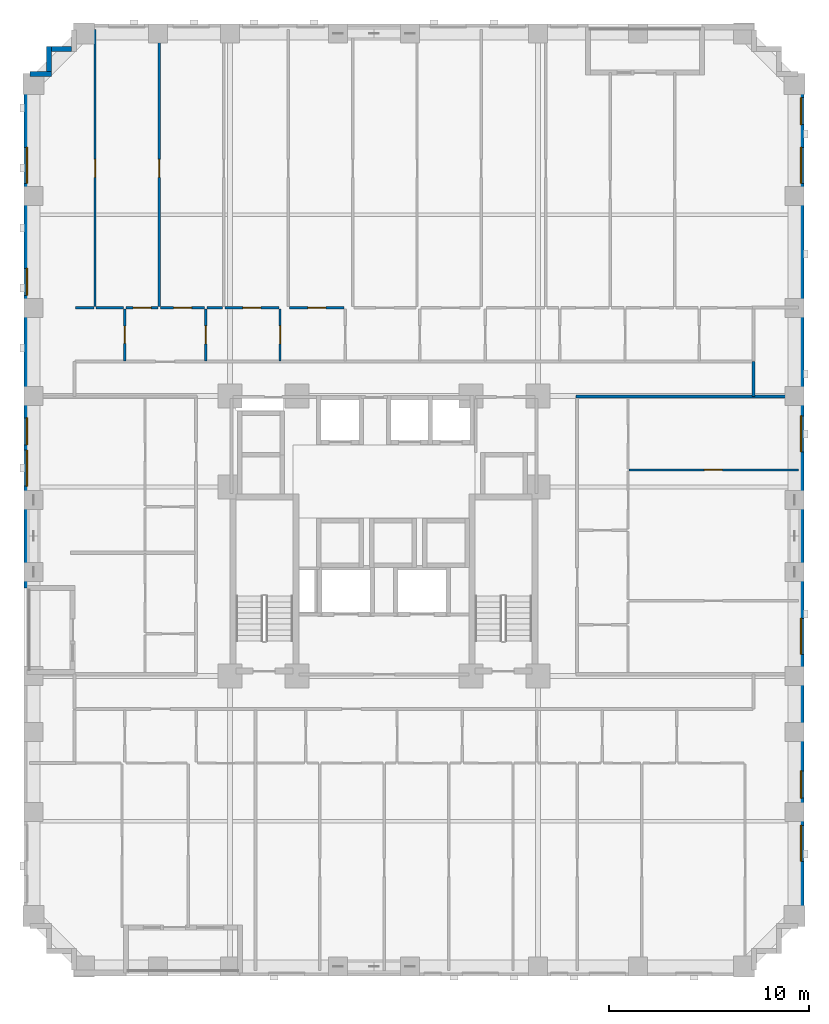
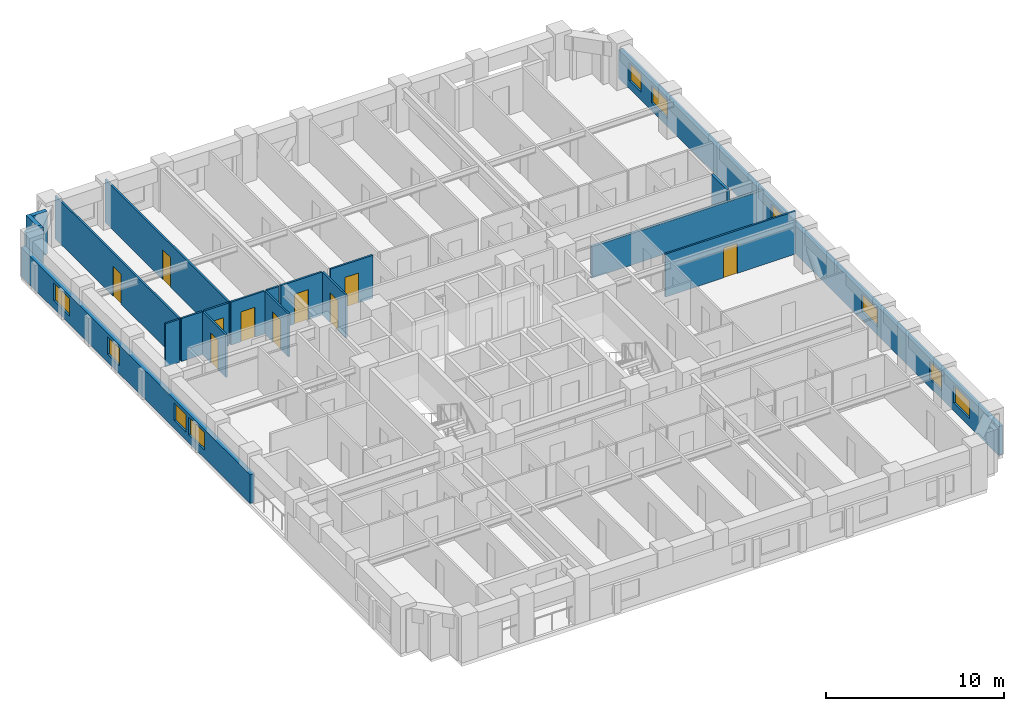
# One storey, part 7 of 14: 20 walls, 10 doors, 10 windows, 20 openings.
"""IFC4 building model written with IfcOpenShell, lengths in metres."""

from ifc_helpers import new_model, si_unit, derived_unit, direction, frame, frame_2d, origin, place, context, subcontext, project, spatial, rectangle, extrude, material, layer, layer_set, type_object, element, fill, save


model = new_model("IFC4")

# Units and contexts
model_context = context("Model", 3, precision=1e-05, world=origin(), true_north=direction((0.0, 1.0)))
body_context = subcontext(model_context, "Body", "Model", "MODEL_VIEW")
ifc_project = project(units=[si_unit("LENGTHUNIT", "METRE"), si_unit("AREAUNIT", "SQUARE_METRE"), si_unit("VOLUMEUNIT", "CUBIC_METRE"), si_unit("PLANEANGLEUNIT", "RADIAN"), si_unit("MASSUNIT", "GRAM", prefix="KILO"), derived_unit("THERMALTRANSMITTANCEUNIT", [(si_unit("MASSUNIT", "GRAM", prefix="KILO"), 1), (si_unit("TIMEUNIT", "SECOND"), -3), (si_unit("THERMODYNAMICTEMPERATUREUNIT", "KELVIN"), -1)])], contexts=[model_context])

# Site, building, storey
site_placement = place(None, origin())
site = spatial("IfcSite", under=ifc_project, at=site_placement, CompositionType="ELEMENT")
building_placement = place(site_placement, origin())
building = spatial("IfcBuilding", under=site, at=building_placement, Name="Korrvale Station Residences", CompositionType="ELEMENT")
storey_placement = place(building_placement, frame((0.0, 0.0, 45.0)))
storey = spatial("IfcBuildingStorey", under=building, at=storey_placement, Name="L11", CompositionType="ELEMENT", Elevation=45.0)

# Walls
ifc_material_1 = material(Name="Precast concrete C45/55", Category="concrete")
ifc_layer_1 = layer(ifc_material_1, 0.260009765625, Name="Precast concrete C45/55")
ifc_layer_set_1 = layer_set([ifc_layer_1], Name="Precast concrete C45/55")
wall_type_1 = type_object("IfcWallType", Name="WAL-EXT-LOG260", PredefinedType="SOLIDWALL", material=ifc_layer_set_1)
wall_1_placement = place(storey_placement, frame((7.802001953125, 45.10009765625, 0.0), z_axis=(0.0, 0.0, 1.0), x_axis=(1.0, 0.0, 0.0)))
element("IfcWall", 1, at=wall_1_placement, inside=storey, type_object=wall_type_1, Name="L11 Serrated Corner Precast Step NW-1", PredefinedType="SOLIDWALL", context=body_context, shape_type="SweptSolid", body=[
    extrude(rectangle(XDim=1.077880859375, YDim=0.260009765625, at=frame_2d((0.5390625, 0.0))), origin(), (0.0, 0.0, 1.0), 2.93994140625),
])
wall_2_placement = place(storey_placement, frame((8.75, 45.23193359375, 0.0), z_axis=(0.0, 0.0, 1.0), x_axis=(0.0, 1.0, 0.0)))
element("IfcWall", 2, at=wall_2_placement, inside=storey, type_object=wall_type_1, Name="L11 Serrated Corner Precast Step NW-2", PredefinedType="SOLIDWALL", context=body_context, shape_type="SweptSolid", body=[
    extrude(rectangle(XDim=1.248046875, YDim=0.260009765625, at=frame_2d((0.6240234375, 0.0))), origin(), (0.0, 0.0, 1.0), 2.93994140625),
])
wall_3_placement = place(storey_placement, frame((8.882080078125, 46.35009765625, 0.0), z_axis=(0.0, 0.0, 1.0), x_axis=(1.0, 0.0, 0.0)))
element("IfcWall", 3, at=wall_3_placement, inside=storey, type_object=wall_type_1, Name="L11 Serrated Corner Precast Step NW-3", PredefinedType="SOLIDWALL", context=body_context, shape_type="SweptSolid", body=[
    extrude(rectangle(XDim=0.98583984375, YDim=0.260009765625, at=frame_2d((0.492919921875, 0.0))), origin(), (0.0, 0.0, 1.0), 2.93994140625),
])

# Wall, openings, windows
ifc_layer_2 = layer(ifc_material_1, 0.300048828125, Name="Precast concrete C45/55")
ifc_layer_set_2 = layer_set([ifc_layer_2], Name="Precast concrete C45/55")
wall_type_2 = type_object("IfcWallType", Name="WAL-EXT-PC300", PredefinedType="SOLIDWALL", material=ifc_layer_set_2)
wall_4_placement = place(storey_placement, frame((46.35009765625, 45.10009765625, 0.0), z_axis=(0.0, 0.0, 1.0), x_axis=(0.0, -1.0, 0.0)))
wall_4 = element("IfcWall", 4, at=wall_4_placement, inside=storey, type_object=wall_type_2, Name="L11 East Exterior Precast Wall 1", PredefinedType="SOLIDWALL", context=body_context, shape_type="SweptSolid", body=[
    extrude(rectangle(XDim=42.60009765625, YDim=0.300048828125, at=frame_2d((21.300048828125, 0.0))), origin(), (0.0, 0.0, 1.0), 1.97509765625),
])
opening_1_placement = place(wall_4_placement, frame((37.574951171875, 0.0, 0.550048828125)))
opening_1 = element("IfcOpeningElement", 5, at=opening_1_placement, cuts=wall_4, Name="Opening W-09", PredefinedType="OPENING", context=body_context, shape_type="SweptSolid", body=[
    extrude(rectangle(XDim=1.800048828125, YDim=1.199951171875, at=frame_2d((0.89990234375, 0.60009765625))), frame((0.0, 0.16015625, 0.0), z_axis=(0.0, -1.0, 0.0), x_axis=(1.0, 0.0, 0.0)), (0.0, 0.0, 1.0), 0.320068359375),
])
opening_2_placement = place(wall_4_placement, frame((34.85009765625, 0.0, 0.550048828125)))
opening_2 = element("IfcOpeningElement", 6, at=opening_2_placement, cuts=wall_4, Name="Opening W-10", PredefinedType="OPENING", context=body_context, shape_type="SweptSolid", body=[
    extrude(rectangle(XDim=1.35009765625, YDim=1.199951171875, at=frame_2d((0.675048828125, 0.60009765625))), frame((0.0, 0.16015625, 0.0), z_axis=(0.0, -1.0, 0.0), x_axis=(1.0, 0.0, 0.0)), (0.0, 0.0, 1.0), 0.320068359375),
])
opening_3_placement = place(wall_4_placement, frame((3.6650390625, 0.0, 0.550048828125)))
opening_3 = element("IfcOpeningElement", 7, at=opening_3_placement, cuts=wall_4, Name="Opening W-09", PredefinedType="OPENING", context=body_context, shape_type="SweptSolid", body=[
    extrude(rectangle(XDim=1.800048828125, YDim=1.199951171875, at=frame_2d((0.89990234375, 0.60009765625))), frame((0.0, 0.16015625, 0.0), z_axis=(0.0, -1.0, 0.0), x_axis=(1.0, 0.0, 0.0)), (0.0, 0.0, 1.0), 0.320068359375),
])
opening_4_placement = place(wall_4_placement, frame((1.18505859375, 0.0, 0.550048828125)))
opening_4 = element("IfcOpeningElement", 8, at=opening_4_placement, cuts=wall_4, Name="Opening W-10", PredefinedType="OPENING", context=body_context, shape_type="SweptSolid", body=[
    extrude(rectangle(XDim=1.35009765625, YDim=1.199951171875, at=frame_2d((0.675048828125, 0.60009765625))), frame((0.0, 0.16015625, 0.0), z_axis=(0.0, -1.0, 0.0), x_axis=(1.0, 0.0, 0.0)), (0.0, 0.0, 1.0), 0.320068359375),
])
opening_5_placement = place(wall_4_placement, frame((27.22509765625, 0.0, 0.550048828125)))
opening_5 = element("IfcOpeningElement", 9, at=opening_5_placement, cuts=wall_4, Name="Opening W-09", PredefinedType="OPENING", context=body_context, shape_type="SweptSolid", body=[
    extrude(rectangle(XDim=1.800048828125, YDim=1.199951171875, at=frame_2d((0.89990234375, 0.60009765625))), frame((0.0, 0.16015625, 0.0), z_axis=(0.0, -1.0, 0.0), x_axis=(1.0, 0.0, 0.0)), (0.0, 0.0, 1.0), 0.320068359375),
])
opening_6_placement = place(wall_4_placement, frame((17.10009765625, 0.0, 0.550048828125)))
opening_6 = element("IfcOpeningElement", 10, at=opening_6_placement, cuts=wall_4, Name="Opening W-09", PredefinedType="OPENING", context=body_context, shape_type="SweptSolid", body=[
    extrude(rectangle(XDim=1.800048828125, YDim=1.199951171875, at=frame_2d((0.89990234375, 0.60009765625))), frame((0.0, 0.16015625, 0.0), z_axis=(0.0, -1.0, 0.0), x_axis=(1.0, 0.0, 0.0)), (0.0, 0.0, 1.0), 0.320068359375),
])
ifc_material_2 = material(Name="Thermally broken aluminium frame with triple low-e glazing", Category="aluminium")
window_type_1 = type_object("IfcWindowType", Name="WIN-W09", PartitioningType="DOUBLE_PANEL_VERTICAL", PredefinedType="WINDOW", material=ifc_material_2)
window_1_placement = place(opening_1_placement, origin())
window_1 = element("IfcWindow", 11, at=window_1_placement, inside=storey, type_object=window_type_1, Name="L11 Punched Window 11", OverallHeight=1.199951171875, OverallWidth=1.800048828125, PartitioningType="DOUBLE_PANEL_VERTICAL", PredefinedType="WINDOW", context=body_context, shape_type="SweptSolid", body=[
    extrude(rectangle(XDim=1.800048828125, YDim=1.199951171875, at=frame_2d((0.89990234375, 0.60009765625))), frame((0.0, 0.030029296875, 0.0), z_axis=(0.0, -1.0, 0.0), x_axis=(1.0, 0.0, 0.0)), (0.0, 0.0, 1.0), 0.06005859375),
])
fill(opening_1, window_1)
window_2_placement = place(opening_3_placement, origin())
window_2 = element("IfcWindow", 12, at=window_2_placement, inside=storey, type_object=window_type_1, Name="L11 Punched Window 23", OverallHeight=1.199951171875, OverallWidth=1.800048828125, PartitioningType="DOUBLE_PANEL_VERTICAL", PredefinedType="WINDOW", context=body_context, shape_type="SweptSolid", body=[
    extrude(rectangle(XDim=1.800048828125, YDim=1.199951171875, at=frame_2d((0.89990234375, 0.60009765625))), frame((0.0, 0.030029296875, 0.0), z_axis=(0.0, -1.0, 0.0), x_axis=(1.0, 0.0, 0.0)), (0.0, 0.0, 1.0), 0.06005859375),
])
fill(opening_3, window_2)
window_3_placement = place(opening_5_placement, origin())
window_3 = element("IfcWindow", 13, at=window_3_placement, inside=storey, type_object=window_type_1, Name="L11 Punched Window 28", OverallHeight=1.199951171875, OverallWidth=1.800048828125, PartitioningType="DOUBLE_PANEL_VERTICAL", PredefinedType="WINDOW", context=body_context, shape_type="SweptSolid", body=[
    extrude(rectangle(XDim=1.800048828125, YDim=1.199951171875, at=frame_2d((0.89990234375, 0.60009765625))), frame((0.0, 0.030029296875, 0.0), z_axis=(0.0, -1.0, 0.0), x_axis=(1.0, 0.0, 0.0)), (0.0, 0.0, 1.0), 0.06005859375),
])
fill(opening_5, window_3)
window_4_placement = place(opening_6_placement, origin())
window_4 = element("IfcWindow", 14, at=window_4_placement, inside=storey, type_object=window_type_1, Name="L11 Punched Window 29", OverallHeight=1.199951171875, OverallWidth=1.800048828125, PartitioningType="DOUBLE_PANEL_VERTICAL", PredefinedType="WINDOW", context=body_context, shape_type="SweptSolid", body=[
    extrude(rectangle(XDim=1.800048828125, YDim=1.199951171875, at=frame_2d((0.89990234375, 0.60009765625))), frame((0.0, 0.030029296875, 0.0), z_axis=(0.0, -1.0, 0.0), x_axis=(1.0, 0.0, 0.0)), (0.0, 0.0, 1.0), 0.06005859375),
])
fill(opening_6, window_4)
window_type_2 = type_object("IfcWindowType", Name="WIN-W10", PartitioningType="SINGLE_PANEL", PredefinedType="WINDOW", material=ifc_material_2)
window_5_placement = place(opening_2_placement, origin())
window_5 = element("IfcWindow", 15, at=window_5_placement, inside=storey, type_object=window_type_2, Name="L11 Punched Window 12", OverallHeight=1.199951171875, OverallWidth=1.35009765625, PartitioningType="SINGLE_PANEL", PredefinedType="WINDOW", context=body_context, shape_type="SweptSolid", body=[
    extrude(rectangle(XDim=1.35009765625, YDim=1.199951171875, at=frame_2d((0.675048828125, 0.60009765625))), frame((0.0, 0.030029296875, 0.0), z_axis=(0.0, -1.0, 0.0), x_axis=(1.0, 0.0, 0.0)), (0.0, 0.0, 1.0), 0.06005859375),
])
fill(opening_2, window_5)
window_6_placement = place(opening_4_placement, origin())
window_6 = element("IfcWindow", 16, at=window_6_placement, inside=storey, type_object=window_type_2, Name="L11 Punched Window 24", OverallHeight=1.199951171875, OverallWidth=1.35009765625, PartitioningType="SINGLE_PANEL", PredefinedType="WINDOW", context=body_context, shape_type="SweptSolid", body=[
    extrude(rectangle(XDim=1.35009765625, YDim=1.199951171875, at=frame_2d((0.675048828125, 0.60009765625))), frame((0.0, 0.030029296875, 0.0), z_axis=(0.0, -1.0, 0.0), x_axis=(1.0, 0.0, 0.0)), (0.0, 0.0, 1.0), 0.06005859375),
])
fill(opening_4, window_6)

wall_5_placement = place(storey_placement, frame((7.64990234375, 19.39990234375, 0.0), z_axis=(0.0, 0.0, 1.0), x_axis=(0.0, 1.0, 0.0)))
wall_5 = element("IfcWall", 17, at=wall_5_placement, inside=storey, type_object=wall_type_2, Name="L11 West Exterior Precast Wall 2", PredefinedType="SOLIDWALL", context=body_context, shape_type="SweptSolid", body=[
    extrude(rectangle(XDim=25.7001953125, YDim=0.300048828125, at=frame_2d((12.85009765625, 0.0))), origin(), (0.0, 0.0, 1.0), 1.97509765625),
])
opening_7_placement = place(wall_5_placement, frame((20.235107421875, 0.0, 0.550048828125)))
opening_7 = element("IfcOpeningElement", 18, at=opening_7_placement, cuts=wall_5, Name="Opening W-09", PredefinedType="OPENING", context=body_context, shape_type="SweptSolid", body=[
    extrude(rectangle(XDim=1.800048828125, YDim=1.199951171875, at=frame_2d((0.89990234375, 0.60009765625))), frame((0.0, 0.16015625, 0.0), z_axis=(0.0, -1.0, 0.0), x_axis=(1.0, 0.0, 0.0)), (0.0, 0.0, 1.0), 0.320068359375),
])
opening_8_placement = place(wall_5_placement, frame((14.635009765625, 0.0, 0.550048828125)))
opening_8 = element("IfcOpeningElement", 19, at=opening_8_placement, cuts=wall_5, Name="Opening W-10", PredefinedType="OPENING", context=body_context, shape_type="SweptSolid", body=[
    extrude(rectangle(XDim=1.35009765625, YDim=1.199951171875, at=frame_2d((0.675048828125, 0.60009765625))), frame((0.0, 0.16015625, 0.0), z_axis=(0.0, -1.0, 0.0), x_axis=(1.0, 0.0, 0.0)), (0.0, 0.0, 1.0), 0.320068359375),
])
opening_9_placement = place(wall_5_placement, frame((5.10009765625, 0.0, 0.550048828125)))
opening_9 = element("IfcOpeningElement", 20, at=opening_9_placement, cuts=wall_5, Name="Opening W-09", PredefinedType="OPENING", context=body_context, shape_type="SweptSolid", body=[
    extrude(rectangle(XDim=1.800048828125, YDim=1.199951171875, at=frame_2d((0.89990234375, 0.60009765625))), frame((0.0, 0.16015625, 0.0), z_axis=(0.0, -1.0, 0.0), x_axis=(1.0, 0.0, 0.0)), (0.0, 0.0, 1.0), 0.320068359375),
])
opening_10_placement = place(wall_5_placement, frame((7.159912109375, 0.0, 0.550048828125)))
opening_10 = element("IfcOpeningElement", 21, at=opening_10_placement, cuts=wall_5, Name="Opening W-10", PredefinedType="OPENING", context=body_context, shape_type="SweptSolid", body=[
    extrude(rectangle(XDim=1.35009765625, YDim=1.199951171875, at=frame_2d((0.675048828125, 0.60009765625))), frame((0.0, 0.16015625, 0.0), z_axis=(0.0, -1.0, 0.0), x_axis=(1.0, 0.0, 0.0)), (0.0, 0.0, 1.0), 0.320068359375),
])
window_7_placement = place(opening_7_placement, origin())
window_7 = element("IfcWindow", 22, at=window_7_placement, inside=storey, type_object=window_type_1, Name="L11 Punched Window 13", OverallHeight=1.199951171875, OverallWidth=1.800048828125, PartitioningType="DOUBLE_PANEL_VERTICAL", PredefinedType="WINDOW", context=body_context, shape_type="SweptSolid", body=[
    extrude(rectangle(XDim=1.800048828125, YDim=1.199951171875, at=frame_2d((0.89990234375, 0.60009765625))), frame((0.0, 0.030029296875, 0.0), z_axis=(0.0, -1.0, 0.0), x_axis=(1.0, 0.0, 0.0)), (0.0, 0.0, 1.0), 0.06005859375),
])
fill(opening_7, window_7)
window_8_placement = place(opening_9_placement, origin())
window_8 = element("IfcWindow", 23, at=window_8_placement, inside=storey, type_object=window_type_1, Name="L11 Punched Window 26", OverallHeight=1.199951171875, OverallWidth=1.800048828125, PartitioningType="DOUBLE_PANEL_VERTICAL", PredefinedType="WINDOW", context=body_context, shape_type="SweptSolid", body=[
    extrude(rectangle(XDim=1.800048828125, YDim=1.199951171875, at=frame_2d((0.89990234375, 0.60009765625))), frame((0.0, 0.030029296875, 0.0), z_axis=(0.0, -1.0, 0.0), x_axis=(1.0, 0.0, 0.0)), (0.0, 0.0, 1.0), 0.06005859375),
])
fill(opening_9, window_8)
window_9_placement = place(opening_8_placement, origin())
window_9 = element("IfcWindow", 24, at=window_9_placement, inside=storey, type_object=window_type_2, Name="L11 Punched Window 14", OverallHeight=1.199951171875, OverallWidth=1.35009765625, PartitioningType="SINGLE_PANEL", PredefinedType="WINDOW", context=body_context, shape_type="SweptSolid", body=[
    extrude(rectangle(XDim=1.35009765625, YDim=1.199951171875, at=frame_2d((0.675048828125, 0.60009765625))), frame((0.0, 0.030029296875, 0.0), z_axis=(0.0, -1.0, 0.0), x_axis=(1.0, 0.0, 0.0)), (0.0, 0.0, 1.0), 0.06005859375),
])
fill(opening_8, window_9)
window_10_placement = place(opening_10_placement, origin())
window_10 = element("IfcWindow", 25, at=window_10_placement, inside=storey, type_object=window_type_2, Name="L11 Punched Window 27", OverallHeight=1.199951171875, OverallWidth=1.35009765625, PartitioningType="SINGLE_PANEL", PredefinedType="WINDOW", context=body_context, shape_type="SweptSolid", body=[
    extrude(rectangle(XDim=1.35009765625, YDim=1.199951171875, at=frame_2d((0.675048828125, 0.60009765625))), frame((0.0, 0.030029296875, 0.0), z_axis=(0.0, -1.0, 0.0), x_axis=(1.0, 0.0, 0.0)), (0.0, 0.0, 1.0), 0.06005859375),
])
fill(opening_10, window_10)

# Wall, opening, door
ifc_material_3 = material(Name="Acoustic steel-stud gypsum board partition", Category="steel")
ifc_layer_3 = layer(ifc_material_3, 0.1201171875, Name="Acoustic steel-stud gypsum board partition")
ifc_layer_set_3 = layer_set([ifc_layer_3], Name="Acoustic steel-stud gypsum board partition")
wall_type_3 = type_object("IfcWallType", Name="WAL-PART-125", PredefinedType="PARTITIONING", material=ifc_layer_set_3)
wall_6_placement = place(storey_placement, frame((12.5400390625, 30.760009765625, 0.0), z_axis=(0.0, 0.0, 1.0), x_axis=(0.0, 1.0, 0.0)))
wall_6 = element("IfcWall", 26, at=wall_6_placement, inside=storey, type_object=wall_type_3, Name="L11 Suite Partition U03-V01", PredefinedType="PARTITIONING", context=body_context, shape_type="SweptSolid", body=[
    extrude(rectangle(XDim=2.60009765625, YDim=0.1201171875, at=frame_2d((1.300048828125, 0.0))), origin(), (0.0, 0.0, 1.0), 2.93994140625),
])
opening_11_placement = place(wall_6_placement, frame((0.8701171875, 0.0, 0.0)))
opening_11 = element("IfcOpeningElement", 27, at=opening_11_placement, cuts=wall_6, Name="Opening DB-860", PredefinedType="OPENING", context=body_context, shape_type="SweptSolid", body=[
    extrude(rectangle(XDim=0.860107421875, YDim=2.050048828125, at=frame_2d((0.43017578125, 1.02490234375))), frame((0.0, 0.070068359375, 0.0), z_axis=(0.0, -1.0, 0.0), x_axis=(1.0, 0.0, 0.0)), (0.0, 0.0, 1.0), 0.14013671875),
])
ifc_material_4 = material(Name="Moisture-resistant solid-core bathroom door", Category="timber")
door_type_1 = type_object("IfcDoorType", Name="DR-BATH-860", OperationType="NOTDEFINED", PredefinedType="DOOR", material=ifc_material_4)
door_1_placement = place(opening_11_placement, origin())
door_1 = element("IfcDoor", 28, at=door_1_placement, inside=storey, type_object=door_type_1, Name="L11 Studio Apartment L11-U03 Bathroom Door", OperationType="SINGLE_SWING_RIGHT", OverallHeight=2.050048828125, OverallWidth=0.860107421875, PredefinedType="DOOR", context=body_context, shape_type="SweptSolid", body=[
    extrude(rectangle(XDim=0.860107421875, YDim=2.050048828125, at=frame_2d((0.43017578125, 1.02490234375))), frame((0.0, 0.02490234375, 0.0), z_axis=(0.0, -1.0, 0.0), x_axis=(1.0, 0.0, 0.0)), (0.0, 0.0, 1.0), 0.050048828125),
])
fill(opening_11, door_1)

# Walls
wall_7_placement = place(storey_placement, frame((10.080078125, 33.419921875, 0.0), z_axis=(0.0, 0.0, 1.0), x_axis=(1.0, 0.0, 0.0)))
element("IfcWall", 29, at=wall_7_placement, inside=storey, type_object=wall_type_3, Name="L11 Suite Partition U03-H010", PredefinedType="PARTITIONING", context=body_context, shape_type="SweptSolid", body=[
    extrude(rectangle(XDim=0.909912109375, YDim=0.1201171875, at=frame_2d((0.455078125, 0.0))), origin(), (0.0, 0.0, 1.0), 2.93994140625),
])
wall_8_placement = place(storey_placement, frame((11.110107421875, 33.419921875, 0.0), z_axis=(0.0, 0.0, 1.0), x_axis=(1.0, 0.0, 0.0)))
element("IfcWall", 30, at=wall_8_placement, inside=storey, type_object=wall_type_3, Name="L11 Suite Partition U03-H011", PredefinedType="PARTITIONING", context=body_context, shape_type="SweptSolid", body=[
    extrude(rectangle(XDim=1.369873046875, YDim=0.1201171875, at=frame_2d((0.68505859375, 0.0))), origin(), (0.0, 0.0, 1.0), 2.93994140625),
])

# Wall, opening, door
wall_9_placement = place(storey_placement, frame((16.580078125, 30.760009765625, 0.0), z_axis=(0.0, 0.0, 1.0), x_axis=(0.0, 1.0, 0.0)))
wall_9 = element("IfcWall", 31, at=wall_9_placement, inside=storey, type_object=wall_type_3, Name="L11 Suite Partition U03-V12", PredefinedType="PARTITIONING", context=body_context, shape_type="SweptSolid", body=[
    extrude(rectangle(XDim=2.60009765625, YDim=0.1201171875, at=frame_2d((1.300048828125, 0.0))), origin(), (0.0, 0.0, 1.0), 2.93994140625),
])
opening_12_placement = place(wall_9_placement, frame((0.85009765625, 0.0, 0.0)))
opening_12 = element("IfcOpeningElement", 32, at=opening_12_placement, cuts=wall_9, Name="Opening DI-900", PredefinedType="OPENING", context=body_context, shape_type="SweptSolid", body=[
    extrude(rectangle(XDim=0.89990234375, YDim=2.050048828125, at=frame_2d((0.449951171875, 1.02490234375))), frame((0.0, 0.070068359375, 0.0), z_axis=(0.0, -1.0, 0.0), x_axis=(1.0, 0.0, 0.0)), (0.0, 0.0, 1.0), 0.14013671875),
])
ifc_material_5 = material(Name="Painted solid-core timber interior room door", Category="wood")
door_type_2 = type_object("IfcDoorType", Name="DR-INT-900", OperationType="NOTDEFINED", PredefinedType="DOOR", material=ifc_material_5)
door_2_placement = place(opening_12_placement, origin())
door_2 = element("IfcDoor", 33, at=door_2_placement, inside=storey, type_object=door_type_2, Name="L11 Studio Apartment L11-U03 Kitchen Door", OperationType="SINGLE_SWING_LEFT", OverallHeight=2.050048828125, OverallWidth=0.89990234375, PredefinedType="DOOR", context=body_context, shape_type="SweptSolid", body=[
    extrude(rectangle(XDim=0.89990234375, YDim=2.050048828125, at=frame_2d((0.449951171875, 1.02490234375))), frame((0.0, 0.02490234375, 0.0), z_axis=(0.0, -1.0, 0.0), x_axis=(1.0, 0.0, 0.0)), (0.0, 0.0, 1.0), 0.050048828125),
])
fill(opening_12, door_2)

wall_10_placement = place(storey_placement, frame((12.60009765625, 33.419921875, 0.0), z_axis=(0.0, 0.0, 1.0), x_axis=(1.0, 0.0, 0.0)))
wall_10 = element("IfcWall", 34, at=wall_10_placement, inside=storey, type_object=wall_type_3, Name="L11 Suite Partition U03-H111", PredefinedType="PARTITIONING", context=body_context, shape_type="SweptSolid", body=[
    extrude(rectangle(XDim=1.60986328125, YDim=0.1201171875, at=frame_2d((0.804931640625, 0.0))), origin(), (0.0, 0.0, 1.0), 2.93994140625),
])
opening_13_placement = place(wall_10_placement, frame((0.35498046875, 0.0, 0.0)))
opening_13 = element("IfcOpeningElement", 35, at=opening_13_placement, cuts=wall_10, Name="Opening DI-900", PredefinedType="OPENING", context=body_context, shape_type="SweptSolid", body=[
    extrude(rectangle(XDim=0.89990234375, YDim=2.050048828125, at=frame_2d((0.449951171875, 1.02490234375))), frame((0.0, 0.070068359375, 0.0), z_axis=(0.0, -1.0, 0.0), x_axis=(1.0, 0.0, 0.0)), (0.0, 0.0, 1.0), 0.14013671875),
])
door_3_placement = place(opening_13_placement, origin())
door_3 = element("IfcDoor", 36, at=door_3_placement, inside=storey, type_object=door_type_2, Name="L11 Studio Apartment L11-U03 Kitchen Door", OperationType="SINGLE_SWING_RIGHT", OverallHeight=2.050048828125, OverallWidth=0.89990234375, PredefinedType="DOOR", context=body_context, shape_type="SweptSolid", body=[
    extrude(rectangle(XDim=0.89990234375, YDim=2.050048828125, at=frame_2d((0.449951171875, 1.02490234375))), frame((0.0, 0.02490234375, 0.0), z_axis=(0.0, -1.0, 0.0), x_axis=(1.0, 0.0, 0.0)), (0.0, 0.0, 1.0), 0.050048828125),
])
fill(opening_13, door_3)

wall_11_placement = place(storey_placement, frame((14.330078125, 33.419921875, 0.0), z_axis=(0.0, 0.0, 1.0), x_axis=(1.0, 0.0, 0.0)))
wall_11 = element("IfcWall", 37, at=wall_11_placement, inside=storey, type_object=wall_type_3, Name="L11 Suite Partition U03-H112", PredefinedType="PARTITIONING", context=body_context, shape_type="SweptSolid", body=[
    extrude(rectangle(XDim=2.18994140625, YDim=0.1201171875, at=frame_2d((1.094970703125, 0.0))), origin(), (0.0, 0.0, 1.0), 2.93994140625),
])
opening_14_placement = place(wall_11_placement, frame((0.64501953125, 0.0, 0.0)))
opening_14 = element("IfcOpeningElement", 38, at=opening_14_placement, cuts=wall_11, Name="Opening DI-900", PredefinedType="OPENING", context=body_context, shape_type="SweptSolid", body=[
    extrude(rectangle(XDim=0.89990234375, YDim=2.050048828125, at=frame_2d((0.449951171875, 1.02490234375))), frame((0.0, 0.070068359375, 0.0), z_axis=(0.0, -1.0, 0.0), x_axis=(1.0, 0.0, 0.0)), (0.0, 0.0, 1.0), 0.14013671875),
])
door_4_placement = place(opening_14_placement, origin())
door_4 = element("IfcDoor", 39, at=door_4_placement, inside=storey, type_object=door_type_2, Name="L11 Studio Apartment L11-U03 Kitchen Door", OperationType="SINGLE_SWING_LEFT", OverallHeight=2.050048828125, OverallWidth=0.89990234375, PredefinedType="DOOR", context=body_context, shape_type="SweptSolid", body=[
    extrude(rectangle(XDim=0.89990234375, YDim=2.050048828125, at=frame_2d((0.449951171875, 1.02490234375))), frame((0.0, 0.02490234375, 0.0), z_axis=(0.0, -1.0, 0.0), x_axis=(1.0, 0.0, 0.0)), (0.0, 0.0, 1.0), 0.050048828125),
])
fill(opening_14, door_4)

wall_12_placement = place(storey_placement, frame((20.300048828125, 30.760009765625, 0.0), z_axis=(0.0, 0.0, 1.0), x_axis=(0.0, 1.0, 0.0)))
wall_12 = element("IfcWall", 40, at=wall_12_placement, inside=storey, type_object=wall_type_3, Name="L11 Suite Partition U03-V23", PredefinedType="PARTITIONING", context=body_context, shape_type="SweptSolid", body=[
    extrude(rectangle(XDim=2.60009765625, YDim=0.1201171875, at=frame_2d((1.300048828125, 0.0))), origin(), (0.0, 0.0, 1.0), 2.93994140625),
])
opening_15_placement = place(wall_12_placement, frame((0.85009765625, 0.0, 0.0)))
opening_15 = element("IfcOpeningElement", 41, at=opening_15_placement, cuts=wall_12, Name="Opening DI-900", PredefinedType="OPENING", context=body_context, shape_type="SweptSolid", body=[
    extrude(rectangle(XDim=0.89990234375, YDim=2.050048828125, at=frame_2d((0.449951171875, 1.02490234375))), frame((0.0, 0.070068359375, 0.0), z_axis=(0.0, -1.0, 0.0), x_axis=(1.0, 0.0, 0.0)), (0.0, 0.0, 1.0), 0.14013671875),
])
door_5_placement = place(opening_15_placement, origin())
door_5 = element("IfcDoor", 42, at=door_5_placement, inside=storey, type_object=door_type_2, Name="L11 Studio Apartment L11-U03 Utility and Laundry Room Door", OperationType="SINGLE_SWING_RIGHT", OverallHeight=2.050048828125, OverallWidth=0.89990234375, PredefinedType="DOOR", context=body_context, shape_type="SweptSolid", body=[
    extrude(rectangle(XDim=0.89990234375, YDim=2.050048828125, at=frame_2d((0.449951171875, 1.02490234375))), frame((0.0, 0.02490234375, 0.0), z_axis=(0.0, -1.0, 0.0), x_axis=(1.0, 0.0, 0.0)), (0.0, 0.0, 1.0), 0.050048828125),
])
fill(opening_15, door_5)

# Wall
wall_13_placement = place(storey_placement, frame((16.639892578125, 33.419921875, 0.0), z_axis=(0.0, 0.0, 1.0), x_axis=(1.0, 0.0, 0.0)))
element("IfcWall", 43, at=wall_13_placement, inside=storey, type_object=wall_type_3, Name="L11 Suite Partition U03-H212", PredefinedType="PARTITIONING", context=body_context, shape_type="SweptSolid", body=[
    extrude(rectangle(XDim=0.7900390625, YDim=0.1201171875, at=frame_2d((0.39501953125, 0.0))), origin(), (0.0, 0.0, 1.0), 2.93994140625),
])

# Wall, opening, door
wall_14_placement = place(storey_placement, frame((17.550048828125, 33.419921875, 0.0), z_axis=(0.0, 0.0, 1.0), x_axis=(1.0, 0.0, 0.0)))
wall_14 = element("IfcWall", 44, at=wall_14_placement, inside=storey, type_object=wall_type_3, Name="L11 Suite Partition U03-H213", PredefinedType="PARTITIONING", context=body_context, shape_type="SweptSolid", body=[
    extrude(rectangle(XDim=2.68994140625, YDim=0.1201171875, at=frame_2d((1.344970703125, 0.0))), origin(), (0.0, 0.0, 1.0), 2.93994140625),
])
opening_16_placement = place(wall_14_placement, frame((0.89501953125, 0.0, 0.0)))
opening_16 = element("IfcOpeningElement", 45, at=opening_16_placement, cuts=wall_14, Name="Opening DI-900", PredefinedType="OPENING", context=body_context, shape_type="SweptSolid", body=[
    extrude(rectangle(XDim=0.89990234375, YDim=2.050048828125, at=frame_2d((0.449951171875, 1.02490234375))), frame((0.0, 0.070068359375, 0.0), z_axis=(0.0, -1.0, 0.0), x_axis=(1.0, 0.0, 0.0)), (0.0, 0.0, 1.0), 0.14013671875),
])
door_6_placement = place(opening_16_placement, origin())
door_6 = element("IfcDoor", 46, at=door_6_placement, inside=storey, type_object=door_type_2, Name="L11 Studio Apartment L11-U03 Utility and Laundry Room Door", OperationType="SINGLE_SWING_LEFT", OverallHeight=2.050048828125, OverallWidth=0.89990234375, PredefinedType="DOOR", context=body_context, shape_type="SweptSolid", body=[
    extrude(rectangle(XDim=0.89990234375, YDim=2.050048828125, at=frame_2d((0.449951171875, 1.02490234375))), frame((0.0, 0.02490234375, 0.0), z_axis=(0.0, -1.0, 0.0), x_axis=(1.0, 0.0, 0.0)), (0.0, 0.0, 1.0), 0.050048828125),
])
fill(opening_16, door_6)

wall_15_placement = place(storey_placement, frame((20.77001953125, 33.419921875, 0.0), z_axis=(0.0, 0.0, 1.0), x_axis=(1.0, 0.0, 0.0)))
wall_15 = element("IfcWall", 47, at=wall_15_placement, inside=storey, type_object=wall_type_3, Name="L11 Suite Partition U03-H314", PredefinedType="PARTITIONING", context=body_context, shape_type="SweptSolid", body=[
    extrude(rectangle(XDim=2.739990234375, YDim=0.1201171875, at=frame_2d((1.3701171875, 0.0))), origin(), (0.0, 0.0, 1.0), 2.93994140625),
])
opening_17_placement = place(wall_15_placement, frame((0.919921875, 0.0, 0.0)))
opening_17 = element("IfcOpeningElement", 48, at=opening_17_placement, cuts=wall_15, Name="Opening DI-900", PredefinedType="OPENING", context=body_context, shape_type="SweptSolid", body=[
    extrude(rectangle(XDim=0.89990234375, YDim=2.050048828125, at=frame_2d((0.449951171875, 1.02490234375))), frame((0.0, 0.070068359375, 0.0), z_axis=(0.0, -1.0, 0.0), x_axis=(1.0, 0.0, 0.0)), (0.0, 0.0, 1.0), 0.14013671875),
])
door_7_placement = place(opening_17_placement, origin())
door_7 = element("IfcDoor", 49, at=door_7_placement, inside=storey, type_object=door_type_2, Name="L11 Studio Apartment L11-U03 Storage Closet 2 Door", OperationType="SINGLE_SWING_LEFT", OverallHeight=2.050048828125, OverallWidth=0.89990234375, PredefinedType="DOOR", context=body_context, shape_type="SweptSolid", body=[
    extrude(rectangle(XDim=0.89990234375, YDim=2.050048828125, at=frame_2d((0.449951171875, 1.02490234375))), frame((0.0, 0.02490234375, 0.0), z_axis=(0.0, -1.0, 0.0), x_axis=(1.0, 0.0, 0.0)), (0.0, 0.0, 1.0), 0.050048828125),
])
fill(opening_17, door_7)

wall_16_placement = place(storey_placement, frame((11.050048828125, 33.47998046875, 0.0), z_axis=(0.0, 0.0, 1.0), x_axis=(0.0, 1.0, 0.0)))
wall_16 = element("IfcWall", 50, at=wall_16_placement, inside=storey, type_object=wall_type_3, Name="L11 Suite Partition U03-V1011", PredefinedType="PARTITIONING", context=body_context, shape_type="SweptSolid", body=[
    extrude(rectangle(XDim=13.840087890625, YDim=0.1201171875, at=frame_2d((6.919921875, 0.0))), origin(), (0.0, 0.0, 1.0), 2.93994140625),
])
opening_18_placement = place(wall_16_placement, frame((6.455078125, 0.0, 0.0)))
opening_18 = element("IfcOpeningElement", 51, at=opening_18_placement, cuts=wall_16, Name="Opening DI-900", PredefinedType="OPENING", context=body_context, shape_type="SweptSolid", body=[
    extrude(rectangle(XDim=0.89990234375, YDim=2.050048828125, at=frame_2d((0.449951171875, 1.02490234375))), frame((0.0, 0.070068359375, 0.0), z_axis=(0.0, -1.0, 0.0), x_axis=(1.0, 0.0, 0.0)), (0.0, 0.0, 1.0), 0.14013671875),
])
door_8_placement = place(opening_18_placement, origin())
door_8 = element("IfcDoor", 52, at=door_8_placement, inside=storey, type_object=door_type_2, Name="L11 Studio Apartment L11-U03 Walk-In Wardrobe Door", OperationType="SINGLE_SWING_LEFT", OverallHeight=2.050048828125, OverallWidth=0.89990234375, PredefinedType="DOOR", context=body_context, shape_type="SweptSolid", body=[
    extrude(rectangle(XDim=0.89990234375, YDim=2.050048828125, at=frame_2d((0.449951171875, 1.02490234375))), frame((0.0, 0.02490234375, 0.0), z_axis=(0.0, -1.0, 0.0), x_axis=(1.0, 0.0, 0.0)), (0.0, 0.0, 1.0), 0.050048828125),
])
fill(opening_18, door_8)

wall_17_placement = place(storey_placement, frame((14.27001953125, 33.47998046875, 0.0), z_axis=(0.0, 0.0, 1.0), x_axis=(0.0, 1.0, 0.0)))
wall_17 = element("IfcWall", 53, at=wall_17_placement, inside=storey, type_object=wall_type_3, Name="L11 Suite Partition U03-V1112", PredefinedType="PARTITIONING", context=body_context, shape_type="SweptSolid", body=[
    extrude(rectangle(XDim=13.840087890625, YDim=0.1201171875, at=frame_2d((6.919921875, 0.0))), origin(), (0.0, 0.0, 1.0), 2.93994140625),
])
opening_19_placement = place(wall_17_placement, frame((6.455078125, 0.0, 0.0)))
opening_19 = element("IfcOpeningElement", 54, at=opening_19_placement, cuts=wall_17, Name="Opening DI-900", PredefinedType="OPENING", context=body_context, shape_type="SweptSolid", body=[
    extrude(rectangle(XDim=0.89990234375, YDim=2.050048828125, at=frame_2d((0.449951171875, 1.02490234375))), frame((0.0, 0.070068359375, 0.0), z_axis=(0.0, -1.0, 0.0), x_axis=(1.0, 0.0, 0.0)), (0.0, 0.0, 1.0), 0.14013671875),
])
door_9_placement = place(opening_19_placement, origin())
door_9 = element("IfcDoor", 55, at=door_9_placement, inside=storey, type_object=door_type_2, Name="L11 Studio Apartment L11-U03 Walk-In Wardrobe Door", OperationType="SINGLE_SWING_RIGHT", OverallHeight=2.050048828125, OverallWidth=0.89990234375, PredefinedType="DOOR", context=body_context, shape_type="SweptSolid", body=[
    extrude(rectangle(XDim=0.89990234375, YDim=2.050048828125, at=frame_2d((0.449951171875, 1.02490234375))), frame((0.0, 0.02490234375, 0.0), z_axis=(0.0, -1.0, 0.0), x_axis=(1.0, 0.0, 0.0)), (0.0, 0.0, 1.0), 0.050048828125),
])
fill(opening_19, door_9)

wall_18_placement = place(storey_placement, frame((37.760009765625, 25.301025390625, 0.0), z_axis=(0.0, 0.0, 1.0), x_axis=(1.0, 0.0, 0.0)))
wall_18 = element("IfcWall", 56, at=wall_18_placement, inside=storey, type_object=wall_type_3, Name="L11 Suite Partition U06-H45", PredefinedType="PARTITIONING", context=body_context, shape_type="SweptSolid", body=[
    extrude(rectangle(XDim=8.4599609375, YDim=0.1201171875, at=frame_2d((4.22998046875, 0.0))), origin(), (0.0, 0.0, 1.0), 2.93994140625),
])
opening_20_placement = place(wall_18_placement, frame((3.764892578125, 0.0, 0.0)))
opening_20 = element("IfcOpeningElement", 57, at=opening_20_placement, cuts=wall_18, Name="Opening DI-900", PredefinedType="OPENING", context=body_context, shape_type="SweptSolid", body=[
    extrude(rectangle(XDim=0.89990234375, YDim=2.050048828125, at=frame_2d((0.449951171875, 1.02490234375))), frame((0.0, 0.070068359375, 0.0), z_axis=(0.0, -1.0, 0.0), x_axis=(1.0, 0.0, 0.0)), (0.0, 0.0, 1.0), 0.14013671875),
])
door_10_placement = place(opening_20_placement, origin())
door_10 = element("IfcDoor", 58, at=door_10_placement, inside=storey, type_object=door_type_2, Name="L11 Apartment 2BR L11-U06 Living and Dining Room Door", OperationType="SINGLE_SWING_LEFT", OverallHeight=2.050048828125, OverallWidth=0.89990234375, PredefinedType="DOOR", context=body_context, shape_type="SweptSolid", body=[
    extrude(rectangle(XDim=0.89990234375, YDim=2.050048828125, at=frame_2d((0.449951171875, 1.02490234375))), frame((0.0, 0.02490234375, 0.0), z_axis=(0.0, -1.0, 0.0), x_axis=(1.0, 0.0, 0.0)), (0.0, 0.0, 1.0), 0.050048828125),
])
fill(opening_20, door_10)

# Walls
ifc_material_6 = material(Name="Fire-rated twin-stud gypsum and mineral wool shaftwall assembly", Category="gypsum")
ifc_layer_4 = layer(ifc_material_6, 0.159912109375, Name="Fire-rated twin-stud gypsum and mineral wool shaftwall assembly")
ifc_layer_set_4 = layer_set([ifc_layer_4], Name="Fire-rated twin-stud gypsum and mineral wool shaftwall assembly")
wall_type_4 = type_object("IfcWallType", Name="WAL-PART-200", PredefinedType="PARTITIONING", material=ifc_layer_set_4)
wall_19_placement = place(storey_placement, frame((43.97998046875, 28.97998046875, 0.0), z_axis=(0.0, 0.0, 1.0), x_axis=(0.0, 1.0, 0.0)))
element("IfcWall", 59, at=wall_19_placement, inside=storey, type_object=wall_type_4, Name="L11 Corridor North East Cap", PredefinedType="PARTITIONING", context=body_context, shape_type="SweptSolid", body=[
    extrude(rectangle(XDim=1.739990234375, YDim=0.159912109375, at=frame_2d((0.8701171875, 0.0))), origin(), (0.0, 0.0, 1.0), 2.93994140625),
])
wall_20_placement = place(storey_placement, frame((35.110107421875, 28.97998046875, 0.0), z_axis=(0.0, 0.0, 1.0), x_axis=(1.0, 0.0, 0.0)))
element("IfcWall", 60, at=wall_20_placement, inside=storey, type_object=wall_type_4, Name="L11 East Wing North Corridor Wall", PredefinedType="PARTITIONING", context=body_context, shape_type="SweptSolid", body=[
    extrude(rectangle(XDim=11.10986328125, YDim=0.159912109375, at=frame_2d((5.554931640625, 0.0))), origin(), (0.0, 0.0, 1.0), 2.155029296875),
])

save(model, "model.ifc")
